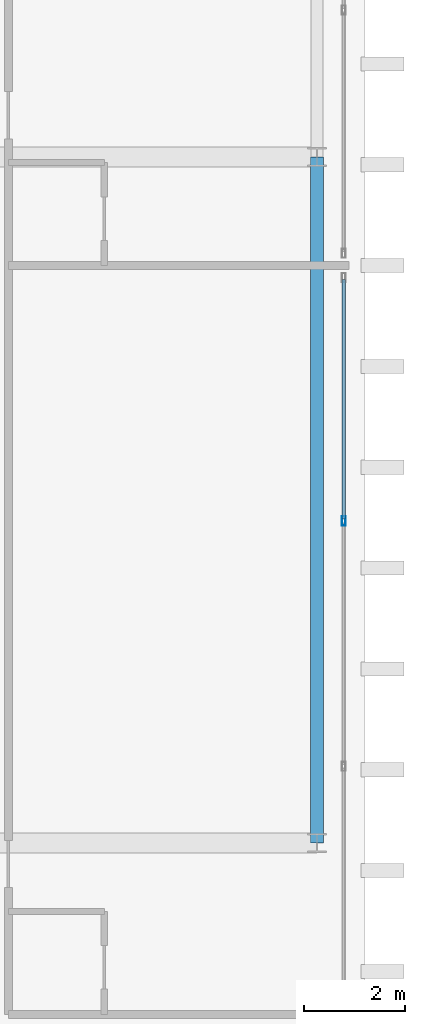
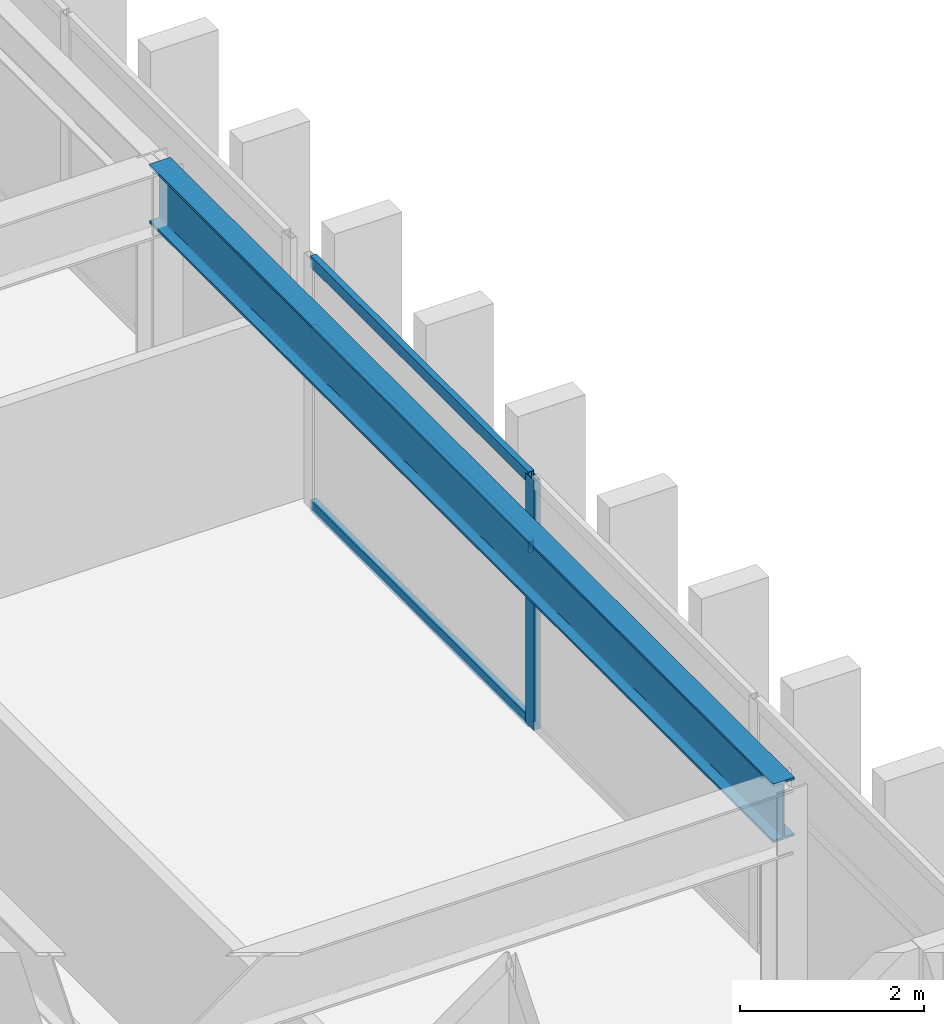
# One storey, part 5 of 15: 4 members, 1 beam, 1 element without a shape of its own.
"""IFC4 building model written with IfcOpenShell, lengths in metres."""

from ifc_helpers import new_model, si_unit, direction, frame, origin, origin_2d, place, context, subcontext, project, spatial, hollow_rectangle, i_section, extrude, source, transform, mapped, material, layer, layer_set, material_profile, profile_set, type_object, element, aggregate, save


model = new_model("IFC4")

# Units and contexts
model_context = context("Model", 3, precision=1e-05, world=origin(), true_north=direction((0.0, 1.0)))
body_context = subcontext(model_context, "Body", "Model", "MODEL_VIEW")
ifc_project = project(units=[si_unit("LENGTHUNIT", "METRE"), si_unit("AREAUNIT", "SQUARE_METRE"), si_unit("VOLUMEUNIT", "CUBIC_METRE"), si_unit("PLANEANGLEUNIT", "RADIAN"), si_unit("MASSUNIT", "GRAM", prefix="KILO")], contexts=[model_context])

# Site, building, storey
site_placement = place(None, origin())
site = spatial("IfcSite", under=ifc_project, at=site_placement, CompositionType="ELEMENT")
building_placement = place(site_placement, origin())
building = spatial("IfcBuilding", under=site, at=building_placement, Name="Ocotamira Hotel", CompositionType="ELEMENT")
storey_placement = place(building_placement, frame((0.0, 0.0, 297.60009765625)))
storey = spatial("IfcBuildingStorey", under=building, at=storey_placement, Name="L76", CompositionType="ELEMENT", Elevation=297.60009765625)

# Beam
ifc_material_1 = material(Name="Steel ASTM A992 Grade 50", Category="steel")
ifc_material_profile_1 = material_profile(ifc_material_1, i_section(OverallWidth=0.26611328125, OverallDepth=0.779052734375, WebThickness=0.0166015625, FlangeThickness=0.030029296875, FilletRadius=0.01806640625, at=origin_2d()), Name="W30X148")
ifc_profile_set_1 = profile_set([ifc_material_profile_1], Name="Steel ASTM A992 Grade 50")
beam_type = type_object("IfcBeamType", Name="BM-GIRD-W30X148", PredefinedType="BEAM", material=ifc_profile_set_1)
shared_shape_1 = source(origin(), body_context, "Body", "SweptSolid", [
    extrude(i_section(OverallWidth=0.26611328125, OverallDepth=0.779052734375, WebThickness=0.0166015625, FlangeThickness=0.030029296875, FilletRadius=0.01806640625, at=origin_2d()), origin(), (0.0, 0.0, 1.0), 13.599853515625),
])
beam_placement = place(storey_placement, frame((32.050048828125, 14.550048828125, 2.930419921875), z_axis=(0.0, 1.0, 0.0), x_axis=(-1.0, 0.0, 0.0)))
element("IfcBeam", 1, at=beam_placement, inside=storey, type_object=beam_type, Name="L76 Beam X32.05 Y14.55-28.15", PredefinedType="BEAM", context=body_context, shape_type="MappedRepresentation", body=[
    mapped(shared_shape_1, transform((0.0, 0.0, 0.0), scale=1.0)),
])

# Curtain wall, members
ifc_material_2 = material(Name="Anodised pale-metal aluminium and solar glass", Category="aluminium")
ifc_layer = layer(ifc_material_2, 0.2099609375)
ifc_layer_set = layer_set([ifc_layer], Name="Anodised pale-metal aluminium and solar glass")
curtain_wall_type = type_object("IfcCurtainWallType", Name="CW-SYS7-PEAK", PredefinedType="NOTDEFINED", material=ifc_layer_set)
curtain_wall_placement = place(storey_placement, origin())
curtain_wall = element("IfcCurtainWall", 2, at=curtain_wall_placement, inside=storey, type_object=curtain_wall_type, Name="L76 Curtain Wall CW-7 CW-L76-E1", PredefinedType="NOTDEFINED")
ifc_material_3 = material(Name="Anodised pale-metal aluminium 6063-T6", Category="aluminium")
ifc_material_profile_2 = material_profile(ifc_material_3, hollow_rectangle(XDim=0.074951171875, YDim=0.14990234375, WallThickness=0.006103515625, at=origin_2d()), Name="HSS150X75X6")
ifc_profile_set_2 = profile_set([ifc_material_profile_2], Name="Anodised pale-metal aluminium 6063-T6")
member_type_1 = type_object("IfcMemberType", Name="CWT-150X75", PredefinedType="USERDEFINED", material=ifc_profile_set_2)
shared_shape_2 = source(origin(), body_context, "Body", "SweptSolid", [
    extrude(hollow_rectangle(XDim=0.074951171875, YDim=0.14990234375, WallThickness=0.006103515625, at=origin_2d()), origin(), (0.0, 0.0, 1.0), 4.74658203125),
])
member_1_placement = place(storey_placement, frame((32.580078125, 20.973388671875, 0.037353515625), z_axis=(0.0, 1.0, 0.0), x_axis=(-1.0, 0.0, 0.0)))
member_1 = element("IfcMember", 3, at=member_1_placement, type_object=member_type_1, Name="CW-7 transom 3.1", ObjectType="TRANSOM", PredefinedType="USERDEFINED", context=body_context, shape_type="MappedRepresentation", body=[
    mapped(shared_shape_2, transform((0.0, 0.0, 0.0), scale=1.0)),
])
member_2_placement = place(storey_placement, frame((32.580078125, 20.973388671875, 2.349853515625), z_axis=(0.0, 1.0, 0.0), x_axis=(-1.0, 0.0, 0.0)))
member_2 = element("IfcMember", 4, at=member_2_placement, type_object=member_type_1, Name="CW-7 transom 3.2", ObjectType="TRANSOM", PredefinedType="USERDEFINED", context=body_context, shape_type="MappedRepresentation", body=[
    mapped(shared_shape_2, transform((0.0, 0.0, 0.0), scale=1.0)),
])
member_3_placement = place(storey_placement, frame((32.580078125, 20.973388671875, 3.282470703125), z_axis=(0.0, 1.0, 0.0), x_axis=(-1.0, 0.0, 0.0)))
member_3 = element("IfcMember", 5, at=member_3_placement, type_object=member_type_1, Name="CW-7 transom 3.3", ObjectType="TRANSOM", PredefinedType="USERDEFINED", context=body_context, shape_type="MappedRepresentation", body=[
    mapped(shared_shape_2, transform((0.0, 0.0, 0.0), scale=1.0)),
])
ifc_material_profile_3 = material_profile(ifc_material_3, hollow_rectangle(XDim=0.080078125, YDim=0.179931640625, WallThickness=0.006103515625, at=origin_2d()), Name="HSS180X80X6")
ifc_profile_set_3 = profile_set([ifc_material_profile_3], Name="Anodised pale-metal aluminium 6063-T6")
member_type_2 = type_object("IfcMemberType", Name="CWM-180X75", PredefinedType="MULLION", material=ifc_profile_set_3)
shared_shape_3 = source(origin(), body_context, "Body", "SweptSolid", [
    extrude(hollow_rectangle(XDim=0.080078125, YDim=0.179931640625, WallThickness=0.006103515625, at=origin_2d()), origin(), (0.0, 0.0, 1.0), 3.31982421875),
])
member_4_placement = place(storey_placement, frame((32.580078125, 20.933349609375, 0.0), z_axis=(0.0, 0.0, 1.0), x_axis=(-1.0, 0.0, 0.0)))
member_4 = element("IfcMember", 6, at=member_4_placement, type_object=member_type_2, Name="CW-7 mullion 3", PredefinedType="MULLION", context=body_context, shape_type="MappedRepresentation", body=[
    mapped(shared_shape_3, transform((0.0, 0.0, 0.0), scale=1.0)),
])
aggregate(curtain_wall, [member_4, member_1, member_2, member_3])

save(model, "model.ifc")
